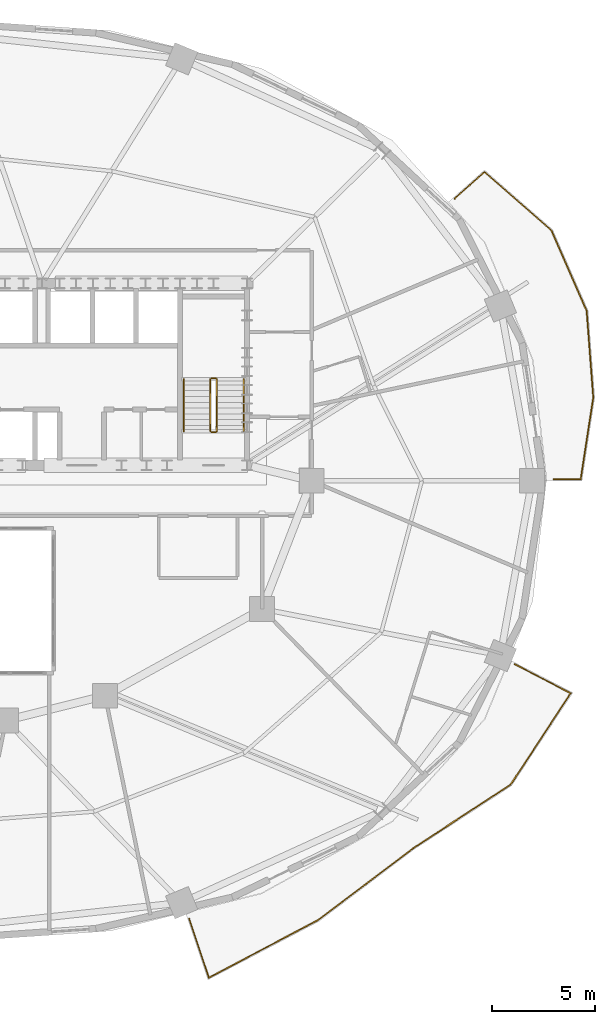
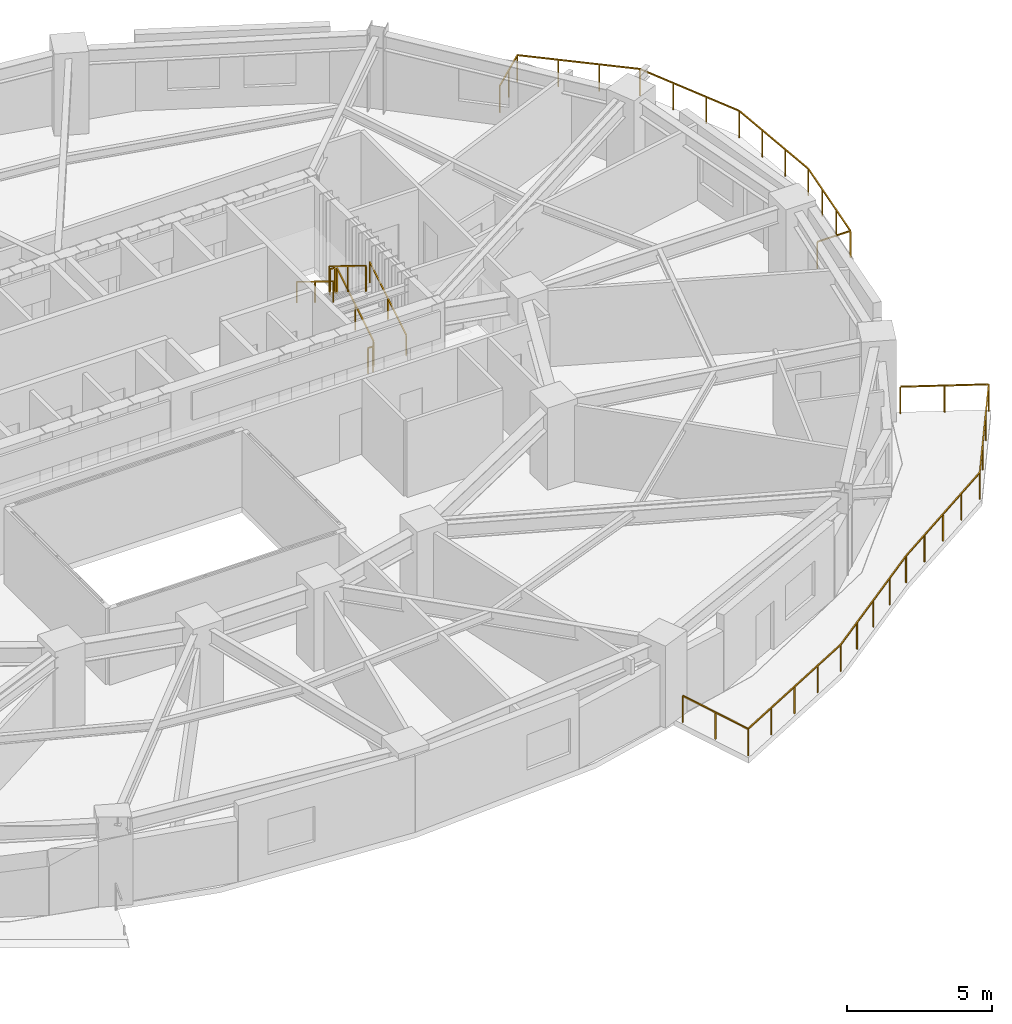
# One storey, part 12 of 12: 8 railings.
"""IFC4 building model written with IfcOpenShell, lengths in metres."""

import ifcopenshell
import ifcopenshell.guid

model = None  # the IFC model being written
_history = None  # IfcOwnerHistory: only IFC2X3 demands one
_inside = {}  # id of a spatial element -> (the spatial element, [elements in it])
_under = {}  # id of a project, library or spatial element -> (it, [spatial elements below it])
_declared = {}  # id of a project -> (the project, [libraries it declares])
_typed = {}  # id of a type object -> (the type object, [elements of that type])
_made_of = {}  # id of a material, layer set ... -> (it, [elements and type objects made of it])


def new_model(schema):
    """Start an empty IFC model of exactly this schema.

    Asked for "IFC4X3", IfcOpenShell would pick the latest addendum, in which some entities
    have other attributes; the version numbers below select the first issue.
    IFC2X3 requires an IfcOwnerHistory on every rooted entity: one is made here for all.
    """
    global model, _history
    if schema == "IFC4X3":
        model = ifcopenshell.file(schema_version=(4, 3, 0, 0))
    else:
        model = ifcopenshell.file(schema=schema)
    _inside.clear()
    _under.clear()
    _declared.clear()
    _typed.clear()
    _made_of.clear()
    _history = None
    if model.schema == "IFC2X3":
        org = make("IfcOrganization", Name="unknown")
        user = make(
            "IfcPersonAndOrganization",
            ThePerson=make("IfcPerson", FamilyName="unknown"),
            TheOrganization=org,
        )
        app = make(
            "IfcApplication",
            ApplicationDeveloper=org,
            Version="unknown",
            ApplicationFullName="unknown",
            ApplicationIdentifier="unknown",
        )
        _history = make(
            "IfcOwnerHistory",
            OwningUser=user,
            OwningApplication=app,
            ChangeAction="ADDED",
            CreationDate=0,
        )
    return model


def make(cls, **values):
    """One entity of the class cls with the attributes given. An attribute that is None is left unset."""
    return model.create_entity(
        cls, **{name: value for name, value in values.items() if value is not None}
    )


def rooted(cls, **values):
    """An entity with a GlobalId (a new one), such as an element, a storey or a relation."""
    return make(cls, GlobalId=ifcopenshell.guid.new(), OwnerHistory=_history, **values)


def si_unit(unit_type, name, prefix=None):
    """IfcSIUnit, for example si_unit("LENGTHUNIT", "METRE", prefix="MILLI")."""
    return make("IfcSIUnit", UnitType=unit_type, Prefix=prefix, Name=name)


def assignment(units):
    """IfcUnitAssignment: the units of a project."""
    return None if units is None else make("IfcUnitAssignment", Units=units)


def point(xyz):
    """IfcCartesianPoint."""
    return None if xyz is None else make("IfcCartesianPoint", Coordinates=xyz)


def direction(xyz):
    """IfcDirection."""
    return None if xyz is None else make("IfcDirection", DirectionRatios=xyz)


def frame(location, z_axis=None, x_axis=None):
    """IfcAxis2Placement3D, a coordinate frame: its origin and axes. An axis left out is left unset."""
    return make(
        "IfcAxis2Placement3D",
        Location=point(location),
        Axis=direction(z_axis),
        RefDirection=direction(x_axis),
    )


def frame_2d(location, x_axis=None):
    """IfcAxis2Placement2D, a coordinate frame in the plane: its origin and x axis."""
    return make(
        "IfcAxis2Placement2D", Location=point(location), RefDirection=direction(x_axis)
    )


def origin():
    """The frame at (0, 0, 0) with its axes left unset."""
    return frame((0.0, 0.0, 0.0))


def origin_2d():
    """The frame at (0, 0) in the plane with its x axis left unset."""
    return frame_2d((0.0, 0.0))


def place(relative_to, where):
    """IfcLocalPlacement: puts the frame where relative to a parent placement (None: the world)."""
    return make(
        "IfcLocalPlacement", PlacementRelTo=relative_to, RelativePlacement=where
    )


def context(
    kind, dimensions, precision=None, world=None, true_north=None, identifier=None
):
    """IfcGeometricRepresentationContext, for example the 3D "Model" context."""
    return make(
        "IfcGeometricRepresentationContext",
        ContextIdentifier=identifier,
        ContextType=kind,
        CoordinateSpaceDimension=dimensions,
        Precision=precision,
        WorldCoordinateSystem=world,
        TrueNorth=true_north,
    )


def subcontext(parent, identifier, kind, view, scale=None):
    """IfcGeometricRepresentationSubContext, for example "Body" below "Model"."""
    return make(
        "IfcGeometricRepresentationSubContext",
        ContextIdentifier=identifier,
        ContextType=kind,
        ParentContext=parent,
        TargetScale=scale,
        TargetView=view,
    )


def project(units=None, contexts=None):
    """IfcProject with its units and contexts."""
    return rooted(
        "IfcProject",
        Name="project",
        RepresentationContexts=contexts,
        UnitsInContext=assignment(units),
    )


def spatial(cls, under=None, at=None, **own):
    """A site, building, storey or space (cls), placed at a placement, below another one or the project."""
    s = rooted(cls, ObjectPlacement=at, **own)
    if under is not None:
        _under.setdefault(under.id(), (under, []))[1].append(s)
    return s


def profile(cls, at=None, kind="AREA", **sizes):
    """A parametric profile (cls). Its sizes go by their IFC names, for example OverallWidth=200.0."""
    return make(cls, ProfileType=kind, Position=at, **sizes)


def rectangle(**sizes):
    """IfcRectangleProfileDef."""
    return profile("IfcRectangleProfileDef", **sizes)


def extrude(swept, where, along, depth):
    """IfcExtrudedAreaSolid: the profile swept, set in the frame where, extruded along a direction by depth."""
    return make(
        "IfcExtrudedAreaSolid",
        SweptArea=swept,
        Position=where,
        ExtrudedDirection=direction(along),
        Depth=depth,
    )


def shape(context_of_items, identifier, shape_type, items):
    """IfcShapeRepresentation: the items that make up one representation, for example the "Body"."""
    return make(
        "IfcShapeRepresentation",
        ContextOfItems=context_of_items,
        RepresentationIdentifier=identifier,
        RepresentationType=shape_type,
        Items=items,
    )


def material(Name=None, Category=None):
    """IfcMaterial."""
    return make("IfcMaterial", Name=Name, Category=Category)


def made_of(thing, what):
    """Note that an element or type object is made of a material, layer set ...; save() writes the relation."""
    if what is not None:
        _made_of.setdefault(what.id(), (what, []))[1].append(thing)
    return thing


def type_object(cls, material=None, **own):
    """A type object (cls), such as IfcWallType, which elements share."""
    return made_of(rooted(cls, **own), material)


def element(
    cls,
    number,
    at=None,
    inside=None,
    cuts=None,
    type_object=None,
    material=None,
    context=None,
    identifier="Body",
    shape_type=None,
    held_by="IfcProductDefinitionShape",
    body=None,
    shapes=None,
    **own,
):
    """One element of the class cls, such as IfcWall. Its Tag is "e" and its number.

    at: its placement. inside: the storey or other place that contains it. cuts: it is an
    opening in that element (IfcRelVoidsElement). A single representation is given by context,
    identifier, shape_type and body (its items); several are given by shapes. held_by: the class
    of the entity that holds the representations. save() writes the other relations.
    """
    e = rooted(cls, Tag="e%d" % number, ObjectPlacement=at, **own)
    if body is not None:
        shapes = [shape(context, identifier, shape_type, body)]
    if shapes is not None:
        e.Representation = make(held_by, Representations=shapes)
    if inside is not None:
        _inside.setdefault(inside.id(), (inside, []))[1].append(e)
    if cuts is not None:
        rooted(
            "IfcRelVoidsElement", RelatingBuildingElement=cuts, RelatedOpeningElement=e
        )
    if type_object is not None:
        _typed.setdefault(type_object.id(), (type_object, []))[1].append(e)
    return made_of(e, material)


def aggregate(whole, parts):
    """IfcRelAggregates: a whole, such as a stair, and the parts it consists of."""
    return rooted("IfcRelAggregates", RelatingObject=whole, RelatedObjects=parts)


def save(model, path):
    """Write the relations noted so far, then the file.

    IfcRelAggregates (storeys below a building ...), IfcRelContainedInSpatialStructure (elements
    in a storey), IfcRelDefinesByType, IfcRelAssociatesMaterial and IfcRelDeclares: one each for
    every whole, place, type object, material and project.
    """
    for whole, parts in _under.values():
        aggregate(whole, parts)
    for where, things in _inside.values():
        rooted(
            "IfcRelContainedInSpatialStructure",
            RelatedElements=things,
            RelatingStructure=where,
        )
    for kind, things in _typed.values():
        rooted("IfcRelDefinesByType", RelatedObjects=things, RelatingType=kind)
    for what, things in _made_of.values():
        rooted("IfcRelAssociatesMaterial", RelatedObjects=things, RelatingMaterial=what)
    for by, libraries in _declared.values():
        rooted("IfcRelDeclares", RelatingContext=by, RelatedDefinitions=libraries)
    model.write(path)


model = new_model("IFC4")

# Units and contexts
model_context = context("Model", 3, precision=1e-05, world=origin(), true_north=direction((0.0, 1.0)))
body_context = subcontext(model_context, "Body", "Model", "MODEL_VIEW")
ifc_project = project(units=[si_unit("LENGTHUNIT", "METRE"), si_unit("AREAUNIT", "SQUARE_METRE"), si_unit("VOLUMEUNIT", "CUBIC_METRE"), si_unit("PLANEANGLEUNIT", "RADIAN"), si_unit("MASSUNIT", "GRAM", prefix="KILO")], contexts=[model_context])

# Site, building, storey
site_placement = place(None, origin())
site = spatial("IfcSite", under=ifc_project, at=site_placement, CompositionType="ELEMENT")
building_placement = place(site_placement, origin())
building = spatial("IfcBuilding", under=site, at=building_placement, Name="Haldorwick Loom Tower", CompositionType="ELEMENT")
storey_placement = place(building_placement, frame((0.0, 0.0, 110.449951171875)))
storey = spatial("IfcBuildingStorey", under=building, at=storey_placement, Name="L29", CompositionType="ELEMENT", Elevation=110.449951171875)

# Railings
ifc_material_1 = material(Name="Galvanized Steel CSA G40.21 350W", Category="steel")
railing_type_1 = type_object("IfcRailingType", Name="ARC-RLG-BAL115", PredefinedType="BALUSTRADE", material=ifc_material_1)
railing_1_placement = place(storey_placement, frame((63.02685546875, 17.119384765625, 0.0)))
element("IfcRailing", 1, at=railing_1_placement, inside=storey, type_object=railing_type_1, Name="L29 Outdoor Terrace Guardrail SLB-L29-BAL_SE-1", PredefinedType="BALUSTRADE", context=body_context, shape_type="SweptSolid", body=[
    extrude(rectangle(XDim=0.048095703125, YDim=0.048095703125, at=origin_2d()), frame((0.0, 0.0, 1.1259765625), z_axis=(0.888432989671, -0.459006342945, 0.0), x_axis=(0.459006342945, 0.888432989671, 0.0)), (0.0, 0.0, 1.0), 3.045654296875),
    extrude(rectangle(XDim=0.048095703125, YDim=0.048095703125, at=origin_2d()), frame((2.705810546875, -1.39794921875, 1.1259765625), z_axis=(-0.549470137469, -0.835513355985, 0.0), x_axis=(0.835513355985, -0.549470137469, 0.0)), (0.0, 0.0, 1.0), 5.30029296875),
    extrude(rectangle(XDim=0.048095703125, YDim=0.048095703125, at=origin_2d()), frame((-0.20654296875, -5.826416015625, 1.1259765625), z_axis=(-0.837736975185, -0.546073951409, 0.0), x_axis=(0.546073951409, -0.837736975185, 0.0)), (0.0, 0.0, 1.0), 5.610107421875),
    extrude(rectangle(XDim=0.048095703125, YDim=0.048095703125, at=origin_2d()), frame((-4.90625, -8.889892578125, 1.1259765625), z_axis=(-0.82530726125, -0.564683915592, 0.0), x_axis=(0.564683915592, -0.82530726125, 0.0)), (0.0, 0.0, 1.0), 0.005615234375),
    extrude(rectangle(XDim=0.048095703125, YDim=0.048095703125, at=origin_2d()), frame((-4.910888671875, -8.89306640625, 1.1259765625), z_axis=(-0.797500988001, -0.603317639504, 0.0), x_axis=(0.603317639504, -0.797500988001, 0.0)), (0.0, 0.0, 1.0), 5.772216796875),
    extrude(rectangle(XDim=0.048095703125, YDim=0.048095703125, at=origin_2d()), frame((-9.51416015625, -12.37548828125, 1.1259765625), z_axis=(-0.884874827722, -0.465828873369, 0.0), x_axis=(0.465828873369, -0.884874827722, 0.0)), (0.0, 0.0, 1.0), 5.98046875),
    extrude(rectangle(XDim=0.048095703125, YDim=0.048095703125, at=origin_2d()), frame((-14.80615234375, -15.161376953125, 1.1259765625), z_axis=(-0.316447343212, 0.948610077415, 0.0), x_axis=(-0.948610077415, -0.316447343212, 0.0)), (0.0, 0.0, 1.0), 3.001953125),
    extrude(rectangle(XDim=0.0419921875, YDim=0.0419921875, at=origin_2d()), origin(), (0.0, 0.0, 1.0), 1.101806640625),
    extrude(rectangle(XDim=0.0419921875, YDim=0.0419921875, at=origin_2d()), frame((1.35302734375, -0.698974609375, 0.0)), (0.0, 0.0, 1.0), 1.101806640625),
    extrude(rectangle(XDim=0.0419921875, YDim=0.0419921875, at=origin_2d()), frame((2.705810546875, -1.39794921875, 0.0)), (0.0, 0.0, 1.0), 1.101806640625),
    extrude(rectangle(XDim=0.0419921875, YDim=0.0419921875, at=origin_2d()), frame((1.735107421875, -2.8740234375, 0.0)), (0.0, 0.0, 1.0), 1.101806640625),
    extrude(rectangle(XDim=0.0419921875, YDim=0.0419921875, at=origin_2d()), frame((0.76416015625, -4.350341796875, 0.0)), (0.0, 0.0, 1.0), 1.101806640625),
    extrude(rectangle(XDim=0.0419921875, YDim=0.0419921875, at=origin_2d()), frame((-0.20654296875, -5.826416015625, 0.0)), (0.0, 0.0, 1.0), 1.101806640625),
    extrude(rectangle(XDim=0.0419921875, YDim=0.0419921875, at=origin_2d()), frame((-1.38134765625, -6.59228515625, 0.0)), (0.0, 0.0, 1.0), 1.101806640625),
    extrude(rectangle(XDim=0.0419921875, YDim=0.0419921875, at=origin_2d()), frame((-2.556396484375, -7.358154296875, 0.0)), (0.0, 0.0, 1.0), 1.101806640625),
    extrude(rectangle(XDim=0.0419921875, YDim=0.0419921875, at=origin_2d()), frame((-3.7314453125, -8.1240234375, 0.0)), (0.0, 0.0, 1.0), 1.101806640625),
    extrude(rectangle(XDim=0.0419921875, YDim=0.0419921875, at=origin_2d()), frame((-4.90625, -8.889892578125, 0.0)), (0.0, 0.0, 1.0), 1.101806640625),
    extrude(rectangle(XDim=0.0419921875, YDim=0.0419921875, at=origin_2d()), frame((-6.061767578125, -9.763671875, 0.0)), (0.0, 0.0, 1.0), 1.101806640625),
    extrude(rectangle(XDim=0.0419921875, YDim=0.0419921875, at=origin_2d()), frame((-7.21240234375, -10.63427734375, 0.0)), (0.0, 0.0, 1.0), 1.101806640625),
    extrude(rectangle(XDim=0.0419921875, YDim=0.0419921875, at=origin_2d()), frame((-8.36328125, -11.5048828125, 0.0)), (0.0, 0.0, 1.0), 1.101806640625),
    extrude(rectangle(XDim=0.0419921875, YDim=0.0419921875, at=origin_2d()), frame((-9.51416015625, -12.37548828125, 0.0)), (0.0, 0.0, 1.0), 1.101806640625),
    extrude(rectangle(XDim=0.0419921875, YDim=0.0419921875, at=origin_2d()), frame((-10.837158203125, -13.072021484375, 0.0)), (0.0, 0.0, 1.0), 1.101806640625),
    extrude(rectangle(XDim=0.0419921875, YDim=0.0419921875, at=origin_2d()), frame((-12.16015625, -13.7685546875, 0.0)), (0.0, 0.0, 1.0), 1.101806640625),
    extrude(rectangle(XDim=0.0419921875, YDim=0.0419921875, at=origin_2d()), frame((-13.483154296875, -14.46484375, 0.0)), (0.0, 0.0, 1.0), 1.101806640625),
    extrude(rectangle(XDim=0.0419921875, YDim=0.0419921875, at=origin_2d()), frame((-14.80615234375, -15.161376953125, 0.0)), (0.0, 0.0, 1.0), 1.101806640625),
    extrude(rectangle(XDim=0.0419921875, YDim=0.0419921875, at=origin_2d()), frame((-15.28125, -13.737548828125, 0.0)), (0.0, 0.0, 1.0), 1.101806640625),
    extrude(rectangle(XDim=0.0419921875, YDim=0.0419921875, at=origin_2d()), frame((-15.756103515625, -12.313720703125, 0.0)), (0.0, 0.0, 1.0), 1.101806640625),
])
railing_2_placement = place(storey_placement, frame((60.1171875, 39.655029296875, 0.0)))
element("IfcRailing", 2, at=railing_2_placement, inside=storey, type_object=railing_type_1, Name="L29 Outdoor Terrace Guardrail SLB-L29-BAL_ENE-1", PredefinedType="BALUSTRADE", context=body_context, shape_type="SweptSolid", body=[
    extrude(rectangle(XDim=0.048095703125, YDim=0.048095703125, at=origin_2d()), frame((0.0, 0.0, 1.1259765625), z_axis=(0.74583472126, 0.666131044588, 0.0), x_axis=(-0.666131044588, 0.74583472126, 0.0)), (0.0, 0.0, 1.0), 1.935791015625),
    extrude(rectangle(XDim=0.048095703125, YDim=0.048095703125, at=origin_2d()), frame((1.44384765625, 1.28955078125, 1.1259765625), z_axis=(0.75295646982, -0.658070326451, 0.0), x_axis=(0.658070326451, 0.75295646982, 0.0)), (0.0, 0.0, 1.0), 4.299560546875),
    extrude(rectangle(XDim=0.048095703125, YDim=0.048095703125, at=origin_2d()), frame((4.68115234375, -1.539794921875, 1.1259765625), z_axis=(0.401663187, -0.915787466724, 0.0), x_axis=(0.915787466724, 0.401663187, 0.0)), (0.0, 0.0, 1.0), 4.246337890625),
    extrude(rectangle(XDim=0.048095703125, YDim=0.048095703125, at=origin_2d()), frame((6.38671875, -5.428466796875, 1.1259765625), z_axis=(0.076093306203, -0.997100701409, 0.0), x_axis=(0.997100701409, 0.076093306203, 0.0)), (0.0, 0.0, 1.0), 4.20947265625),
    extrude(rectangle(XDim=0.048095703125, YDim=0.048095703125, at=origin_2d()), frame((6.70703125, -9.625732421875, 1.1259765625), z_axis=(-0.152318878826, -0.988331401481, 0.0), x_axis=(0.988331401481, -0.152318878826, 0.0)), (0.0, 0.0, 1.0), 3.995849609375),
    extrude(rectangle(XDim=0.048095703125, YDim=0.048095703125, at=origin_2d()), frame((6.098388671875, -13.574951171875, 1.1259765625), z_axis=(-1.0, 0.0, 0.0), x_axis=(0.0, -1.0, 0.0)), (0.0, 0.0, 1.0), 1.314697265625),
    extrude(rectangle(XDim=0.0419921875, YDim=0.0419921875, at=origin_2d()), origin(), (0.0, 0.0, 1.0), 1.101806640625),
    extrude(rectangle(XDim=0.0419921875, YDim=0.0419921875, at=origin_2d()), frame((0.721923828125, 0.644775390625, 0.0)), (0.0, 0.0, 1.0), 1.101806640625),
    extrude(rectangle(XDim=0.0419921875, YDim=0.0419921875, at=origin_2d()), frame((1.44384765625, 1.28955078125, 0.0)), (0.0, 0.0, 1.0), 1.101806640625),
    extrude(rectangle(XDim=0.0419921875, YDim=0.0419921875, at=origin_2d()), frame((2.52294921875, 0.346435546875, 0.0)), (0.0, 0.0, 1.0), 1.101806640625),
    extrude(rectangle(XDim=0.0419921875, YDim=0.0419921875, at=origin_2d()), frame((3.60205078125, -0.5966796875, 0.0)), (0.0, 0.0, 1.0), 1.101806640625),
    extrude(rectangle(XDim=0.0419921875, YDim=0.0419921875, at=origin_2d()), frame((4.68115234375, -1.539794921875, 0.0)), (0.0, 0.0, 1.0), 1.101806640625),
    extrude(rectangle(XDim=0.0419921875, YDim=0.0419921875, at=origin_2d()), frame((5.249755859375, -2.8359375, 0.0)), (0.0, 0.0, 1.0), 1.101806640625),
    extrude(rectangle(XDim=0.0419921875, YDim=0.0419921875, at=origin_2d()), frame((5.818115234375, -4.13232421875, 0.0)), (0.0, 0.0, 1.0), 1.101806640625),
    extrude(rectangle(XDim=0.0419921875, YDim=0.0419921875, at=origin_2d()), frame((6.38671875, -5.428466796875, 0.0)), (0.0, 0.0, 1.0), 1.101806640625),
    extrude(rectangle(XDim=0.0419921875, YDim=0.0419921875, at=origin_2d()), frame((6.493408203125, -6.82763671875, 0.0)), (0.0, 0.0, 1.0), 1.101806640625),
    extrude(rectangle(XDim=0.0419921875, YDim=0.0419921875, at=origin_2d()), frame((6.600341796875, -8.2265625, 0.0)), (0.0, 0.0, 1.0), 1.101806640625),
    extrude(rectangle(XDim=0.0419921875, YDim=0.0419921875, at=origin_2d()), frame((6.70703125, -9.625732421875, 0.0)), (0.0, 0.0, 1.0), 1.101806640625),
    extrude(rectangle(XDim=0.0419921875, YDim=0.0419921875, at=origin_2d()), frame((6.504150390625, -10.942138671875, 0.0)), (0.0, 0.0, 1.0), 1.101806640625),
    extrude(rectangle(XDim=0.0419921875, YDim=0.0419921875, at=origin_2d()), frame((6.30126953125, -12.258544921875, 0.0)), (0.0, 0.0, 1.0), 1.101806640625),
    extrude(rectangle(XDim=0.0419921875, YDim=0.0419921875, at=origin_2d()), frame((6.098388671875, -13.574951171875, 0.0)), (0.0, 0.0, 1.0), 1.101806640625),
    extrude(rectangle(XDim=0.0419921875, YDim=0.0419921875, at=origin_2d()), frame((4.78369140625, -13.574951171875, 0.0)), (0.0, 0.0, 1.0), 1.101806640625),
])
ifc_material_2 = material(Name="Steel CSA G40.21 350W", Category="steel")
railing_type_2 = type_object("IfcRailingType", Name="ARC-RLG-GUARD112", PredefinedType="GUARDRAIL", material=ifc_material_2)
railing_3_placement = place(storey_placement, frame((48.60009765625, 28.39990234375, 0.172607421875)))
element("IfcRailing", 3, at=railing_3_placement, inside=storey, type_object=railing_type_2, Name="L29 ST-02 stair guard 1", PredefinedType="GUARDRAIL", context=body_context, shape_type="SweptSolid", body=[
    extrude(rectangle(XDim=0.048095703125, YDim=0.048095703125, at=origin_2d()), frame((0.0, 0.0, 1.076171875), z_axis=(0.0, 0.851400495292, 0.524516154772), x_axis=(-1.0, 0.0, 0.0)), (0.0, 0.0, 1.0), 2.9599609375),
    extrude(rectangle(XDim=0.0419921875, YDim=0.0419921875, at=origin_2d()), origin(), (0.0, 0.0, 1.0), 1.052001953125),
    extrude(rectangle(XDim=0.0419921875, YDim=0.0419921875, at=origin_2d()), frame((0.0, 1.260009765625, 0.7763671875)), (0.0, 0.0, 1.0), 1.052001953125),
    extrude(rectangle(XDim=0.0419921875, YDim=0.0419921875, at=origin_2d()), frame((0.0, 2.52001953125, 1.552490234375)), (0.0, 0.0, 1.0), 1.052001953125),
])
railing_4_placement = place(storey_placement, frame((48.550048828125, 30.969970703125, 1.72509765625)))
element("IfcRailing", 4, at=railing_4_placement, inside=storey, type_object=railing_type_2, Name="L29 ST-02 stair guard 2", PredefinedType="GUARDRAIL", context=body_context, shape_type="SweptSolid", body=[
    extrude(rectangle(XDim=0.048095703125, YDim=0.048095703125, at=origin_2d()), frame((0.0, 0.0, 1.076171875), z_axis=(-1.0, 0.0, 0.0), x_axis=(0.0, -1.0, 0.0)), (0.0, 0.0, 1.0), 0.199951171875),
    extrude(rectangle(XDim=0.0419921875, YDim=0.0419921875, at=origin_2d()), origin(), (0.0, 0.0, 1.0), 1.052001953125),
    extrude(rectangle(XDim=0.0419921875, YDim=0.0419921875, at=origin_2d()), frame((-0.199951171875, 0.0, 0.0)), (0.0, 0.0, 1.0), 1.052001953125),
])
railing_5_placement = place(storey_placement, frame((48.300048828125, 30.919921875, 1.8974609375)))
element("IfcRailing", 5, at=railing_5_placement, inside=storey, type_object=railing_type_2, Name="L29 ST-02 stair guard 3", PredefinedType="GUARDRAIL", context=body_context, shape_type="SweptSolid", body=[
    extrude(rectangle(XDim=0.048095703125, YDim=0.048095703125, at=origin_2d()), frame((0.0, 0.0, 1.076171875), z_axis=(0.0, -0.851400495292, 0.524516154772), x_axis=(1.0, 0.0, 0.0)), (0.0, 0.0, 1.0), 2.9599609375),
    extrude(rectangle(XDim=0.0419921875, YDim=0.0419921875, at=origin_2d()), origin(), (0.0, 0.0, 1.0), 1.052001953125),
    extrude(rectangle(XDim=0.0419921875, YDim=0.0419921875, at=origin_2d()), frame((0.0, -1.260009765625, 0.7763671875)), (0.0, 0.0, 1.0), 1.052001953125),
    extrude(rectangle(XDim=0.0419921875, YDim=0.0419921875, at=origin_2d()), frame((0.0, -2.52001953125, 1.552490234375)), (0.0, 0.0, 1.0), 1.052001953125),
])
railing_6_placement = place(storey_placement, frame((48.550048828125, 28.35009765625, 0.0)))
element("IfcRailing", 6, at=railing_6_placement, inside=storey, type_object=railing_type_2, Name="L29 ST-02 stair guard 4", PredefinedType="GUARDRAIL", context=body_context, shape_type="SweptSolid", body=[
    extrude(rectangle(XDim=0.048095703125, YDim=0.048095703125, at=origin_2d()), frame((0.0, 0.0, 1.076171875), z_axis=(-1.0, 0.0, 0.0), x_axis=(0.0, -1.0, 0.0)), (0.0, 0.0, 1.0), 0.199951171875),
    extrude(rectangle(XDim=0.0419921875, YDim=0.0419921875, at=origin_2d()), origin(), (0.0, 0.0, 1.0), 1.052001953125),
    extrude(rectangle(XDim=0.0419921875, YDim=0.0419921875, at=origin_2d()), frame((-0.199951171875, 0.0, 0.0)), (0.0, 0.0, 1.0), 1.052001953125),
])
railing_type_3 = type_object("IfcRailingType", Name="ARC-RLG-HAND092", PredefinedType="HANDRAIL", material=ifc_material_2)
railing_7_placement = place(storey_placement, frame((49.89990234375, 28.39990234375, 0.172607421875)))
element("IfcRailing", 7, at=railing_7_placement, inside=storey, type_object=railing_type_3, Name="L29 ST-02 stair handrail 1", PredefinedType="HANDRAIL", context=body_context, shape_type="SweptSolid", body=[
    extrude(rectangle(XDim=0.048095703125, YDim=0.048095703125, at=origin_2d()), frame((0.0, 0.0, 0.8759765625), z_axis=(0.0, 0.851400495292, 0.524516154772), x_axis=(-1.0, 0.0, 0.0)), (0.0, 0.0, 1.0), 2.9599609375),
    extrude(rectangle(XDim=0.0419921875, YDim=0.0419921875, at=origin_2d()), origin(), (0.0, 0.0, 1.0), 0.851806640625),
    extrude(rectangle(XDim=0.0419921875, YDim=0.0419921875, at=origin_2d()), frame((0.0, 1.260009765625, 0.7763671875)), (0.0, 0.0, 1.0), 0.851806640625),
    extrude(rectangle(XDim=0.0419921875, YDim=0.0419921875, at=origin_2d()), frame((0.0, 2.52001953125, 1.552490234375)), (0.0, 0.0, 1.0), 0.851806640625),
])
railing_8_placement = place(storey_placement, frame((47.0, 30.919921875, 1.8974609375)))
element("IfcRailing", 8, at=railing_8_placement, inside=storey, type_object=railing_type_3, Name="L29 ST-02 stair handrail 2", PredefinedType="HANDRAIL", context=body_context, shape_type="SweptSolid", body=[
    extrude(rectangle(XDim=0.048095703125, YDim=0.048095703125, at=origin_2d()), frame((0.0, 0.0, 0.8759765625), z_axis=(0.0, -0.851400495292, 0.524516154772), x_axis=(1.0, 0.0, 0.0)), (0.0, 0.0, 1.0), 2.9599609375),
    extrude(rectangle(XDim=0.0419921875, YDim=0.0419921875, at=origin_2d()), origin(), (0.0, 0.0, 1.0), 0.851806640625),
    extrude(rectangle(XDim=0.0419921875, YDim=0.0419921875, at=origin_2d()), frame((0.0, -1.260009765625, 0.7763671875)), (0.0, 0.0, 1.0), 0.851806640625),
    extrude(rectangle(XDim=0.0419921875, YDim=0.0419921875, at=origin_2d()), frame((0.0, -2.52001953125, 1.552490234375)), (0.0, 0.0, 1.0), 0.851806640625),
])

save(model, "model.ifc")
